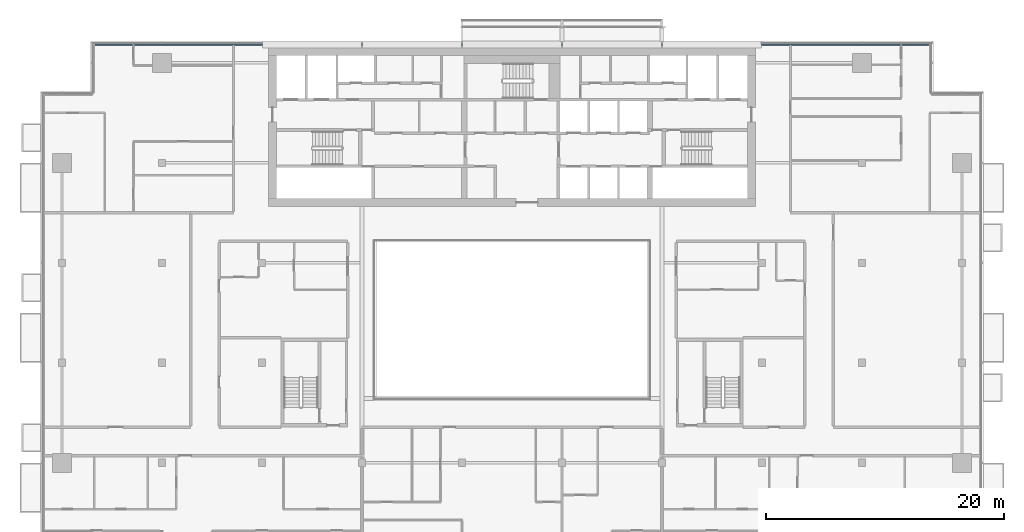
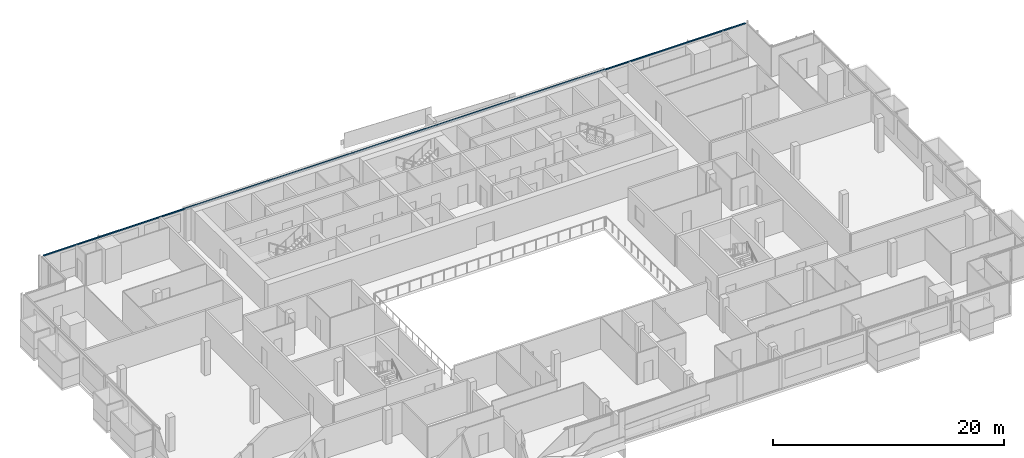
# One storey, part 9 of 27: 1 member, 1 element without a shape of its own.
"""IFC4 building model written with IfcOpenShell, lengths in metres."""

from ifc_helpers import new_model, si_unit, direction, frame, origin, origin_2d, place, context, subcontext, project, spatial, rectangle, extrude, material, material_profile, profile_set, type_object, element, aggregate, save


model = new_model("IFC4")

# Units and contexts
model_context = context("Model", 3, precision=1e-05, world=origin(), true_north=direction((0.0, 1.0)))
body_context = subcontext(model_context, "Body", "Model", "MODEL_VIEW")
ifc_project = project(units=[si_unit("LENGTHUNIT", "METRE"), si_unit("AREAUNIT", "SQUARE_METRE"), si_unit("VOLUMEUNIT", "CUBIC_METRE"), si_unit("PLANEANGLEUNIT", "RADIAN"), si_unit("MASSUNIT", "GRAM", prefix="KILO")], contexts=[model_context])

# Site, building, storey
site_placement = place(None, origin())
site = spatial("IfcSite", under=ifc_project, at=site_placement, CompositionType="ELEMENT")
building_placement = place(site_placement, origin())
building = spatial("IfcBuilding", under=site, at=building_placement, Name="Saffron Gate Tower", CompositionType="ELEMENT")
storey_placement = place(building_placement, frame((0.0, 0.0, 209.10009765625)))
storey = spatial("IfcBuildingStorey", under=building, at=storey_placement, Name="L50", CompositionType="ELEMENT", Elevation=209.10009765625)

# Curtain wall, member
ifc_material = material(Name="Aluminium, bronze anodised", Category="aluminium")
curtain_wall_type = type_object("IfcCurtainWallType", Name="CWS3 curtain wall rear facade", PredefinedType="NOTDEFINED", material=ifc_material)
curtain_wall_placement = place(storey_placement, origin())
curtain_wall = element("IfcCurtainWall", 1, at=curtain_wall_placement, inside=storey, type_object=curtain_wall_type, Name="CWS3 run 7", PredefinedType="NOTDEFINED")
ifc_material_profile = material_profile(ifc_material, rectangle(XDim=0.1201171875, YDim=0.1201171875, at=origin_2d()))
ifc_profile_set = profile_set([ifc_material_profile], Name="Aluminium, bronze anodised")
member_type = type_object("IfcMemberType", Name="CWS3 head transom", PredefinedType="USERDEFINED", material=ifc_profile_set)
member_placement = place(storey_placement, frame((122.632080078125, 75.35205078125, 3.260009765625), z_axis=(-1.0, 0.0, 0.0), x_axis=(0.0, -1.0, 0.0)))
member = element("IfcMember", 2, at=member_placement, type_object=member_type, Name="CWS3 head transom", ObjectType="TRANSOM", PredefinedType="USERDEFINED", context=body_context, shape_type="SweptSolid", body=[
    extrude(rectangle(XDim=0.1201171875, YDim=0.1201171875, at=origin_2d()), origin(), (0.0, 0.0, 1.0), 70.06396484375),
])
aggregate(curtain_wall, [member])

save(model, "model.ifc")
